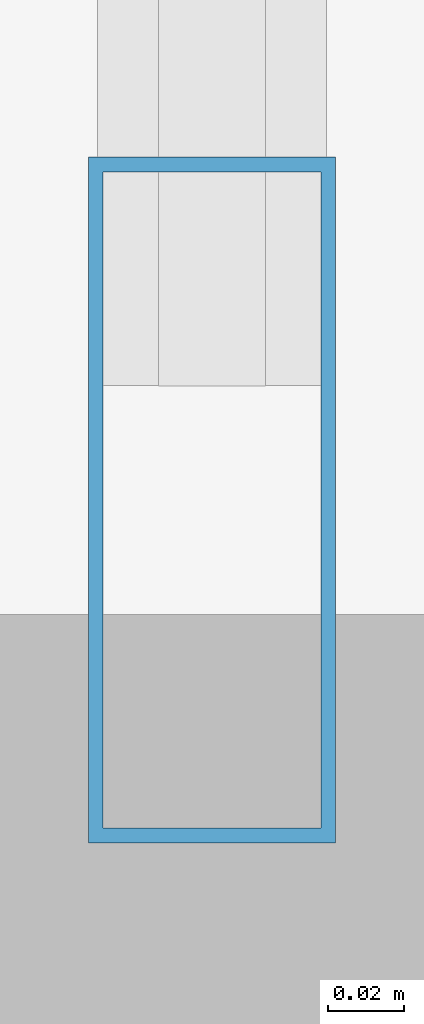
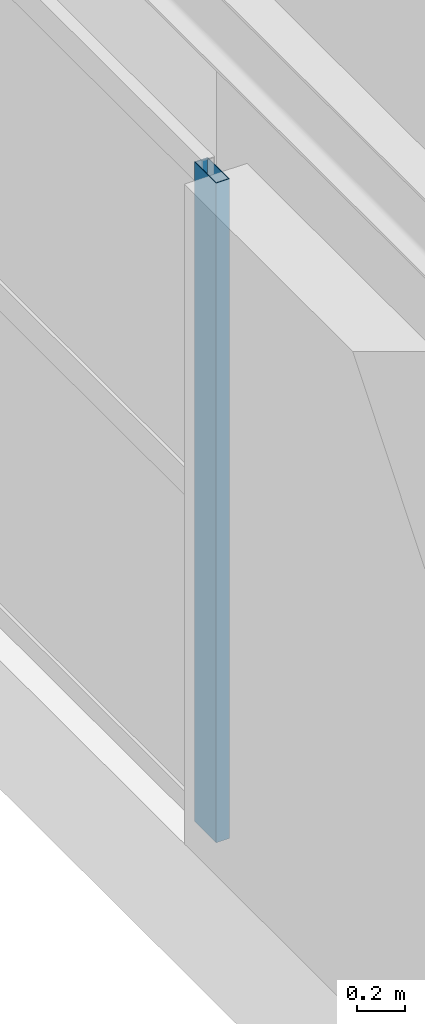
# One storey, part 4 of 24: 1 member, 1 element without a shape of its own.
"""IFC4 building model written with IfcOpenShell, lengths in metres."""

from ifc_helpers import new_model, si_unit, direction, frame, origin, origin_2d, place, context, subcontext, project, spatial, hollow_rectangle, extrude, source, transform, mapped, material, layer, layer_set, material_profile, profile_set, type_object, element, aggregate, save


model = new_model("IFC4")

# Units and contexts
model_context = context("Model", 3, precision=1e-05, world=origin(), true_north=direction((0.0, 1.0)))
body_context = subcontext(model_context, "Body", "Model", "MODEL_VIEW")
ifc_project = project(units=[si_unit("LENGTHUNIT", "METRE"), si_unit("AREAUNIT", "SQUARE_METRE"), si_unit("VOLUMEUNIT", "CUBIC_METRE"), si_unit("PLANEANGLEUNIT", "RADIAN"), si_unit("MASSUNIT", "GRAM", prefix="KILO")], contexts=[model_context])

# Site, building, storey
site_placement = place(None, origin())
site = spatial("IfcSite", under=ifc_project, at=site_placement, CompositionType="ELEMENT")
building_placement = place(site_placement, origin())
building = spatial("IfcBuilding", under=site, at=building_placement, Name="Khoralis Quay Care Tower", CompositionType="ELEMENT")
storey_placement = place(building_placement, frame((0.0, 0.0, 155.699951171875)))
storey = spatial("IfcBuildingStorey", under=building, at=storey_placement, Name="L40", CompositionType="ELEMENT", Elevation=155.699951171875)

# Curtain wall, member
ifc_material = material(Name="Pale anodised aluminium", Category="aluminium")
ifc_layer = layer(ifc_material, 0.159912109375)
ifc_layer_set = layer_set([ifc_layer], Name="Pale anodised aluminium")
curtain_wall_type = type_object("IfcCurtainWallType", Name="CW-SYS-Z3", PredefinedType="NOTDEFINED", material=ifc_layer_set)
curtain_wall_placement = place(storey_placement, origin())
curtain_wall = element("IfcCurtainWall", 1, at=curtain_wall_placement, inside=storey, type_object=curtain_wall_type, Name="L40 Unitised Curtain Wall CW-L40-P1-E15", PredefinedType="NOTDEFINED")
ifc_material_profile = material_profile(ifc_material, hollow_rectangle(XDim=0.06494140625, YDim=0.179931640625, WallThickness=0.00390625, at=origin_2d()), Name="Pale anodised aluminium")
ifc_profile_set = profile_set([ifc_material_profile], Name="Pale anodised aluminium")
member_type = type_object("IfcMemberType", Name="CW-MUL-180", PredefinedType="MULLION", material=ifc_profile_set)
shared_shape = source(origin(), body_context, "Body", "SweptSolid", [
    extrude(hollow_rectangle(XDim=0.06494140625, YDim=0.179931640625, WallThickness=0.00390625, at=origin_2d()), origin(), (0.0, 0.0, 1.0), 3.340087890625),
])
member_placement = place(storey_placement, frame((3.14990234375, 15.510009765625, 0.0), z_axis=(0.0, 0.0, 1.0), x_axis=(1.0, 0.0, 0.0)))
member = element("IfcMember", 2, at=member_placement, type_object=member_type, Name="CW3 mullion 4", PredefinedType="MULLION", context=body_context, shape_type="MappedRepresentation", body=[
    mapped(shared_shape, transform((0.0, 0.0, 0.0), scale=1.0)),
])
aggregate(curtain_wall, [member])

save(model, "model.ifc")
